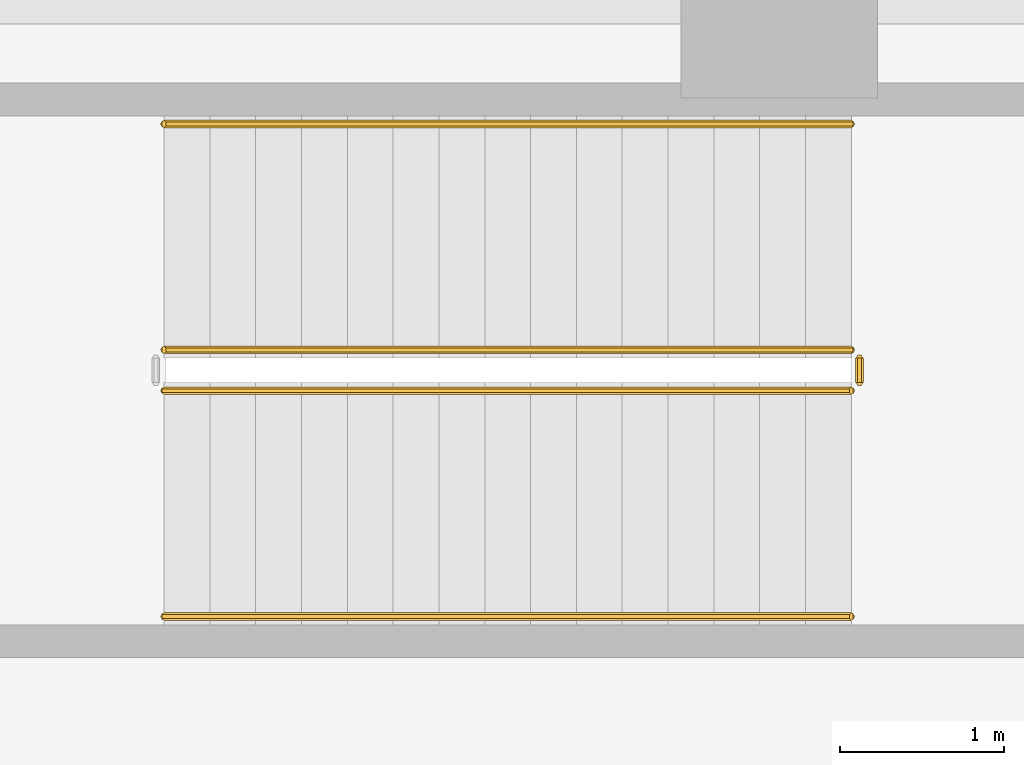
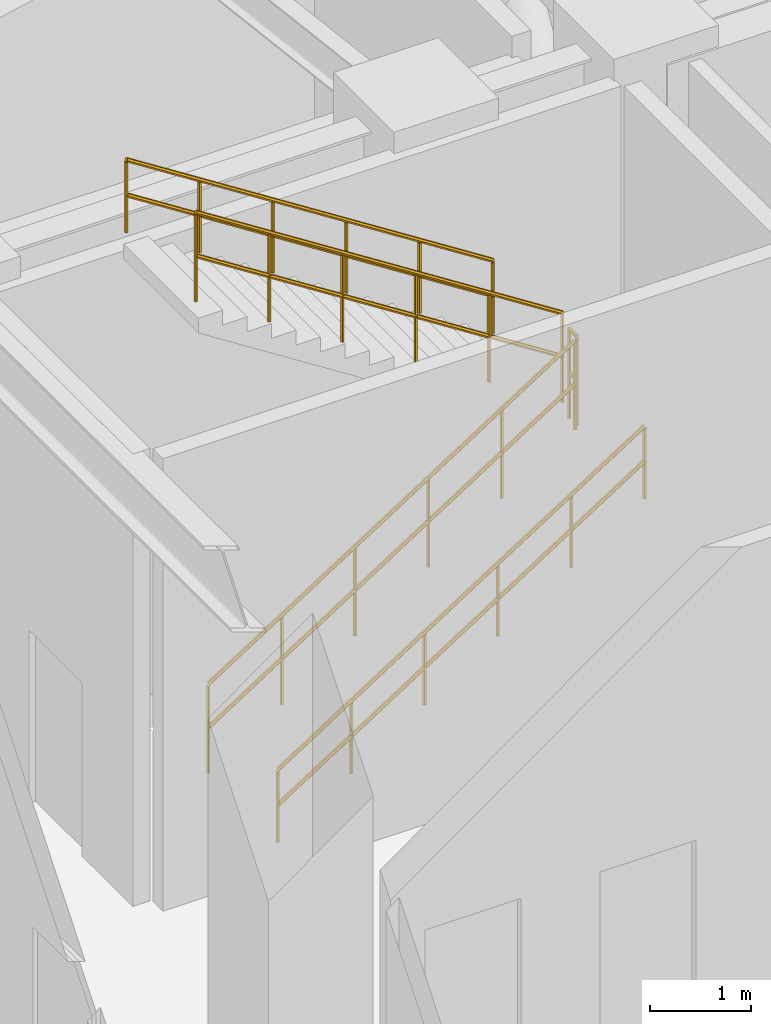
# One storey, part 7 of 7: 5 railings.
"""IFC4 building model written with IfcOpenShell, lengths in metres."""

from ifc_helpers import new_model, si_unit, direction, frame, origin, place, context, subcontext, project, spatial, polyline, outline, extrude, material, type_object, element, save


model = new_model("IFC4")

# Units and contexts
model_context = context("Model", 3, precision=1e-05, world=origin(), true_north=direction((0.0, 1.0)))
body_context = subcontext(model_context, "Body", "Model", "MODEL_VIEW")
ifc_project = project(units=[si_unit("LENGTHUNIT", "METRE"), si_unit("AREAUNIT", "SQUARE_METRE"), si_unit("VOLUMEUNIT", "CUBIC_METRE"), si_unit("PLANEANGLEUNIT", "RADIAN"), si_unit("MASSUNIT", "GRAM", prefix="KILO")], contexts=[model_context])

# Site, building, storey
site_placement = place(None, origin())
site = spatial("IfcSite", under=ifc_project, at=site_placement, CompositionType="ELEMENT")
building_placement = place(site_placement, origin())
building = spatial("IfcBuilding", under=site, at=building_placement, Name="Kelanora Arch Commons", CompositionType="ELEMENT")
storey_placement = place(building_placement, frame((0.0, 0.0, 129.860107421875)))
storey = spatial("IfcBuildingStorey", under=building, at=storey_placement, Name="L33", CompositionType="ELEMENT", Elevation=129.860107421875)

# Railings
ifc_material_1 = material(Name="Painted steel stair well guard", Category="steel")
railing_type_1 = type_object("IfcRailingType", Name="RAIL-STAIR-GRD", PredefinedType="GUARDRAIL", material=ifc_material_1)
railing_1_placement = place(storey_placement, frame((67.719970703125, 62.610107421875, 0.17919921875)))
element("IfcRailing", 1, at=railing_1_placement, inside=storey, type_object=railing_type_1, Name="L33 ST-T1 stair guard 1", PredefinedType="GUARDRAIL", context=body_context, shape_type="SweptSolid", body=[
    extrude(outline(polyline([(0.02392578125, 0.0), (0.011962890625, 0.020751953125), (-0.011962890625, 0.020751953125), (-0.02392578125, 0.0), (-0.011962890625, -0.020751953125), (0.011962890625, -0.020751953125), (0.02392578125, 0.0)])), frame((0.0, 0.0, 1.076171875), z_axis=(0.842025080683, 0.0, 0.539438377853), x_axis=(0.0, 1.0, 0.0)), (0.0, 0.0, 1.0), 4.988037109375),
    extrude(outline(polyline([(0.02392578125, 0.0), (0.011962890625, 0.020751953125), (-0.011962890625, 0.020751953125), (-0.02392578125, 0.0), (-0.011962890625, -0.020751953125), (0.011962890625, -0.020751953125), (0.02392578125, 0.0)])), frame((0.0, 0.0, 0.550048828125), z_axis=(0.842025080683, 0.0, 0.539438377853), x_axis=(0.0, 1.0, 0.0)), (0.0, 0.0, 1.0), 4.988037109375),
    extrude(outline(polyline([(0.02099609375, 0.0), (0.010498046875, 0.01806640625), (-0.010498046875, 0.01806640625), (-0.02099609375, 0.0), (-0.010498046875, -0.01806640625), (0.010498046875, -0.01806640625), (0.02099609375, 0.0)])), origin(), (0.0, 0.0, 1.0), 1.052001953125),
    extrude(outline(polyline([(0.02099609375, 0.0), (0.010498046875, 0.01806640625), (-0.010498046875, 0.01806640625), (-0.02099609375, 0.0), (-0.010498046875, -0.01806640625), (0.010498046875, -0.01806640625), (0.02099609375, 0.0)])), frame((0.840087890625, 0.0, 0.5380859375)), (0.0, 0.0, 1.0), 1.052001953125),
    extrude(outline(polyline([(0.02099609375, 0.0), (0.010498046875, 0.01806640625), (-0.010498046875, 0.01806640625), (-0.02099609375, 0.0), (-0.010498046875, -0.01806640625), (0.010498046875, -0.01806640625), (0.02099609375, 0.0)])), frame((1.679931640625, 0.0, 1.076171875)), (0.0, 0.0, 1.0), 1.052001953125),
    extrude(outline(polyline([(0.02099609375, 0.0), (0.010498046875, 0.01806640625), (-0.010498046875, 0.01806640625), (-0.02099609375, 0.0), (-0.010498046875, -0.01806640625), (0.010498046875, -0.01806640625), (0.02099609375, 0.0)])), frame((2.52001953125, 0.0, 1.614501953125)), (0.0, 0.0, 1.0), 1.052001953125),
    extrude(outline(polyline([(0.02099609375, 0.0), (0.010498046875, 0.01806640625), (-0.010498046875, 0.01806640625), (-0.02099609375, 0.0), (-0.010498046875, -0.01806640625), (0.010498046875, -0.01806640625), (0.02099609375, 0.0)])), frame((3.35986328125, 0.0, 2.152587890625)), (0.0, 0.0, 1.0), 1.052001953125),
    extrude(outline(polyline([(0.02099609375, 0.0), (0.010498046875, 0.01806640625), (-0.010498046875, 0.01806640625), (-0.02099609375, 0.0), (-0.010498046875, -0.01806640625), (0.010498046875, -0.01806640625), (0.02099609375, 0.0)])), frame((4.199951171875, 0.0, 2.690673828125)), (0.0, 0.0, 1.0), 1.052001953125),
])
railing_2_placement = place(storey_placement, frame((71.969970703125, 62.659912109375, 2.869873046875)))
element("IfcRailing", 2, at=railing_2_placement, inside=storey, type_object=railing_type_1, Name="L33 ST-T1 stair guard 2", PredefinedType="GUARDRAIL", context=body_context, shape_type="SweptSolid", body=[
    extrude(outline(polyline([(0.02392578125, 0.0), (0.011962890625, 0.020751953125), (-0.011962890625, 0.020751953125), (-0.02392578125, 0.0), (-0.011962890625, -0.020751953125), (0.011962890625, -0.020751953125), (0.02392578125, 0.0)])), frame((0.0, 0.0, 1.076171875), z_axis=(0.0, 1.0, 0.0), x_axis=(-1.0, 0.0, 0.0)), (0.0, 0.0, 1.0), 0.150146484375),
    extrude(outline(polyline([(0.02392578125, 0.0), (0.011962890625, 0.020751953125), (-0.011962890625, 0.020751953125), (-0.02392578125, 0.0), (-0.011962890625, -0.020751953125), (0.011962890625, -0.020751953125), (0.02392578125, 0.0)])), frame((0.0, 0.0, 0.550048828125), z_axis=(0.0, 1.0, 0.0), x_axis=(-1.0, 0.0, 0.0)), (0.0, 0.0, 1.0), 0.150146484375),
    extrude(outline(polyline([(0.02099609375, 0.0), (0.010498046875, 0.01806640625), (-0.010498046875, 0.01806640625), (-0.02099609375, 0.0), (-0.010498046875, -0.01806640625), (0.010498046875, -0.01806640625), (0.02099609375, 0.0)])), origin(), (0.0, 0.0, 1.0), 1.052001953125),
    extrude(outline(polyline([(0.02099609375, 0.0), (0.010498046875, 0.01806640625), (-0.010498046875, 0.01806640625), (-0.02099609375, 0.0), (-0.010498046875, -0.01806640625), (0.010498046875, -0.01806640625), (0.02099609375, 0.0)])), frame((0.0, 0.150146484375, 0.0)), (0.0, 0.0, 1.0), 1.052001953125),
])
railing_3_placement = place(storey_placement, frame((71.919921875, 62.860107421875, 3.04931640625)))
element("IfcRailing", 3, at=railing_3_placement, inside=storey, type_object=railing_type_1, Name="L33 ST-T1 stair guard 3", PredefinedType="GUARDRAIL", context=body_context, shape_type="SweptSolid", body=[
    extrude(outline(polyline([(0.02392578125, 0.0), (0.011962890625, 0.020751953125), (-0.011962890625, 0.020751953125), (-0.02392578125, 0.0), (-0.011962890625, -0.020751953125), (0.011962890625, -0.020751953125), (0.02392578125, 0.0)])), frame((0.0, 0.0, 1.076171875), z_axis=(-0.842025080683, 0.0, 0.539438377853), x_axis=(0.0, -1.0, 0.0)), (0.0, 0.0, 1.0), 4.988037109375),
    extrude(outline(polyline([(0.02392578125, 0.0), (0.011962890625, 0.020751953125), (-0.011962890625, 0.020751953125), (-0.02392578125, 0.0), (-0.011962890625, -0.020751953125), (0.011962890625, -0.020751953125), (0.02392578125, 0.0)])), frame((0.0, 0.0, 0.550048828125), z_axis=(-0.842025080683, 0.0, 0.539438377853), x_axis=(0.0, -1.0, 0.0)), (0.0, 0.0, 1.0), 4.988037109375),
    extrude(outline(polyline([(0.02099609375, 0.0), (0.010498046875, 0.01806640625), (-0.010498046875, 0.01806640625), (-0.02099609375, 0.0), (-0.010498046875, -0.01806640625), (0.010498046875, -0.01806640625), (0.02099609375, 0.0)])), origin(), (0.0, 0.0, 1.0), 1.052001953125),
    extrude(outline(polyline([(0.02099609375, 0.0), (0.010498046875, 0.01806640625), (-0.010498046875, 0.01806640625), (-0.02099609375, 0.0), (-0.010498046875, -0.01806640625), (0.010498046875, -0.01806640625), (0.02099609375, 0.0)])), frame((-0.840087890625, 0.0, 0.5380859375)), (0.0, 0.0, 1.0), 1.052001953125),
    extrude(outline(polyline([(0.02099609375, 0.0), (0.010498046875, 0.01806640625), (-0.010498046875, 0.01806640625), (-0.02099609375, 0.0), (-0.010498046875, -0.01806640625), (0.010498046875, -0.01806640625), (0.02099609375, 0.0)])), frame((-1.679931640625, 0.0, 1.076171875)), (0.0, 0.0, 1.0), 1.052001953125),
    extrude(outline(polyline([(0.02099609375, 0.0), (0.010498046875, 0.01806640625), (-0.010498046875, 0.01806640625), (-0.02099609375, 0.0), (-0.010498046875, -0.01806640625), (0.010498046875, -0.01806640625), (0.02099609375, 0.0)])), frame((-2.52001953125, 0.0, 1.614501953125)), (0.0, 0.0, 1.0), 1.052001953125),
    extrude(outline(polyline([(0.02099609375, 0.0), (0.010498046875, 0.01806640625), (-0.010498046875, 0.01806640625), (-0.02099609375, 0.0), (-0.010498046875, -0.01806640625), (0.010498046875, -0.01806640625), (0.02099609375, 0.0)])), frame((-3.35986328125, 0.0, 2.152587890625)), (0.0, 0.0, 1.0), 1.052001953125),
    extrude(outline(polyline([(0.02099609375, 0.0), (0.010498046875, 0.01806640625), (-0.010498046875, 0.01806640625), (-0.02099609375, 0.0), (-0.010498046875, -0.01806640625), (0.010498046875, -0.01806640625), (0.02099609375, 0.0)])), frame((-4.199951171875, 0.0, 2.690673828125)), (0.0, 0.0, 1.0), 1.052001953125),
])
ifc_material_2 = material(Name="Brushed stainless steel stair handrail", Category="steel")
railing_type_2 = type_object("IfcRailingType", Name="RAIL-STAIR-HND", PredefinedType="HANDRAIL", material=ifc_material_2)
railing_4_placement = place(storey_placement, frame((67.719970703125, 61.22998046875, 0.17919921875)))
element("IfcRailing", 4, at=railing_4_placement, inside=storey, type_object=railing_type_2, Name="L33 ST-T1 stair handrail 1", PredefinedType="HANDRAIL", context=body_context, shape_type="SweptSolid", body=[
    extrude(outline(polyline([(0.02392578125, 0.0), (0.011962890625, 0.020751953125), (-0.011962890625, 0.020751953125), (-0.02392578125, 0.0), (-0.011962890625, -0.020751953125), (0.011962890625, -0.020751953125), (0.02392578125, 0.0)])), frame((0.0, 0.0, 0.8759765625), z_axis=(0.842025080683, 0.0, 0.539438377853), x_axis=(0.0, 1.0, 0.0)), (0.0, 0.0, 1.0), 4.988037109375),
    extrude(outline(polyline([(0.02392578125, 0.0), (0.011962890625, 0.020751953125), (-0.011962890625, 0.020751953125), (-0.02392578125, 0.0), (-0.011962890625, -0.020751953125), (0.011962890625, -0.020751953125), (0.02392578125, 0.0)])), frame((0.0, 0.0, 0.449951171875), z_axis=(0.842025080683, 0.0, 0.539438377853), x_axis=(0.0, 1.0, 0.0)), (0.0, 0.0, 1.0), 4.988037109375),
    extrude(outline(polyline([(0.02099609375, 0.0), (0.010498046875, 0.01806640625), (-0.010498046875, 0.01806640625), (-0.02099609375, 0.0), (-0.010498046875, -0.01806640625), (0.010498046875, -0.01806640625), (0.02099609375, 0.0)])), origin(), (0.0, 0.0, 1.0), 0.851806640625),
    extrude(outline(polyline([(0.02099609375, 0.0), (0.010498046875, 0.01806640625), (-0.010498046875, 0.01806640625), (-0.02099609375, 0.0), (-0.010498046875, -0.01806640625), (0.010498046875, -0.01806640625), (0.02099609375, 0.0)])), frame((0.840087890625, 0.0, 0.5380859375)), (0.0, 0.0, 1.0), 0.851806640625),
    extrude(outline(polyline([(0.02099609375, 0.0), (0.010498046875, 0.01806640625), (-0.010498046875, 0.01806640625), (-0.02099609375, 0.0), (-0.010498046875, -0.01806640625), (0.010498046875, -0.01806640625), (0.02099609375, 0.0)])), frame((1.679931640625, 0.0, 1.076171875)), (0.0, 0.0, 1.0), 0.851806640625),
    extrude(outline(polyline([(0.02099609375, 0.0), (0.010498046875, 0.01806640625), (-0.010498046875, 0.01806640625), (-0.02099609375, 0.0), (-0.010498046875, -0.01806640625), (0.010498046875, -0.01806640625), (0.02099609375, 0.0)])), frame((2.52001953125, 0.0, 1.614501953125)), (0.0, 0.0, 1.0), 0.851806640625),
    extrude(outline(polyline([(0.02099609375, 0.0), (0.010498046875, 0.01806640625), (-0.010498046875, 0.01806640625), (-0.02099609375, 0.0), (-0.010498046875, -0.01806640625), (0.010498046875, -0.01806640625), (0.02099609375, 0.0)])), frame((3.35986328125, 0.0, 2.152587890625)), (0.0, 0.0, 1.0), 0.851806640625),
    extrude(outline(polyline([(0.02099609375, 0.0), (0.010498046875, 0.01806640625), (-0.010498046875, 0.01806640625), (-0.02099609375, 0.0), (-0.010498046875, -0.01806640625), (0.010498046875, -0.01806640625), (0.02099609375, 0.0)])), frame((4.199951171875, 0.0, 2.690673828125)), (0.0, 0.0, 1.0), 0.851806640625),
])
railing_5_placement = place(storey_placement, frame((71.919921875, 64.239990234375, 3.04931640625)))
element("IfcRailing", 5, at=railing_5_placement, inside=storey, type_object=railing_type_2, Name="L33 ST-T1 stair handrail 2", PredefinedType="HANDRAIL", context=body_context, shape_type="SweptSolid", body=[
    extrude(outline(polyline([(0.02392578125, 0.0), (0.011962890625, 0.020751953125), (-0.011962890625, 0.020751953125), (-0.02392578125, 0.0), (-0.011962890625, -0.020751953125), (0.011962890625, -0.020751953125), (0.02392578125, 0.0)])), frame((0.0, 0.0, 0.8759765625), z_axis=(-0.842025080683, 0.0, 0.539438377853), x_axis=(0.0, -1.0, 0.0)), (0.0, 0.0, 1.0), 4.988037109375),
    extrude(outline(polyline([(0.02392578125, 0.0), (0.011962890625, 0.020751953125), (-0.011962890625, 0.020751953125), (-0.02392578125, 0.0), (-0.011962890625, -0.020751953125), (0.011962890625, -0.020751953125), (0.02392578125, 0.0)])), frame((0.0, 0.0, 0.449951171875), z_axis=(-0.842025080683, 0.0, 0.539438377853), x_axis=(0.0, -1.0, 0.0)), (0.0, 0.0, 1.0), 4.988037109375),
    extrude(outline(polyline([(0.02099609375, 0.0), (0.010498046875, 0.01806640625), (-0.010498046875, 0.01806640625), (-0.02099609375, 0.0), (-0.010498046875, -0.01806640625), (0.010498046875, -0.01806640625), (0.02099609375, 0.0)])), origin(), (0.0, 0.0, 1.0), 0.851806640625),
    extrude(outline(polyline([(0.02099609375, 0.0), (0.010498046875, 0.01806640625), (-0.010498046875, 0.01806640625), (-0.02099609375, 0.0), (-0.010498046875, -0.01806640625), (0.010498046875, -0.01806640625), (0.02099609375, 0.0)])), frame((-0.840087890625, 0.0, 0.5380859375)), (0.0, 0.0, 1.0), 0.851806640625),
    extrude(outline(polyline([(0.02099609375, 0.0), (0.010498046875, 0.01806640625), (-0.010498046875, 0.01806640625), (-0.02099609375, 0.0), (-0.010498046875, -0.01806640625), (0.010498046875, -0.01806640625), (0.02099609375, 0.0)])), frame((-1.679931640625, 0.0, 1.076171875)), (0.0, 0.0, 1.0), 0.851806640625),
    extrude(outline(polyline([(0.02099609375, 0.0), (0.010498046875, 0.01806640625), (-0.010498046875, 0.01806640625), (-0.02099609375, 0.0), (-0.010498046875, -0.01806640625), (0.010498046875, -0.01806640625), (0.02099609375, 0.0)])), frame((-2.52001953125, 0.0, 1.614501953125)), (0.0, 0.0, 1.0), 0.851806640625),
    extrude(outline(polyline([(0.02099609375, 0.0), (0.010498046875, 0.01806640625), (-0.010498046875, 0.01806640625), (-0.02099609375, 0.0), (-0.010498046875, -0.01806640625), (0.010498046875, -0.01806640625), (0.02099609375, 0.0)])), frame((-3.35986328125, 0.0, 2.152587890625)), (0.0, 0.0, 1.0), 0.851806640625),
    extrude(outline(polyline([(0.02099609375, 0.0), (0.010498046875, 0.01806640625), (-0.010498046875, 0.01806640625), (-0.02099609375, 0.0), (-0.010498046875, -0.01806640625), (0.010498046875, -0.01806640625), (0.02099609375, 0.0)])), frame((-4.199951171875, 0.0, 2.690673828125)), (0.0, 0.0, 1.0), 0.851806640625),
])

save(model, "model.ifc")
